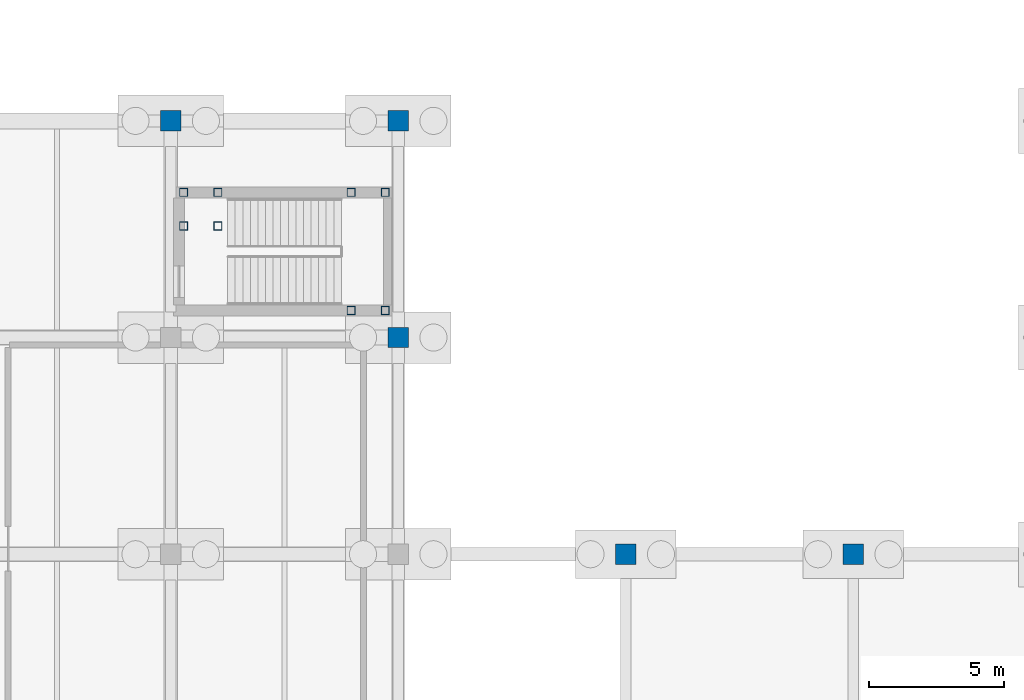
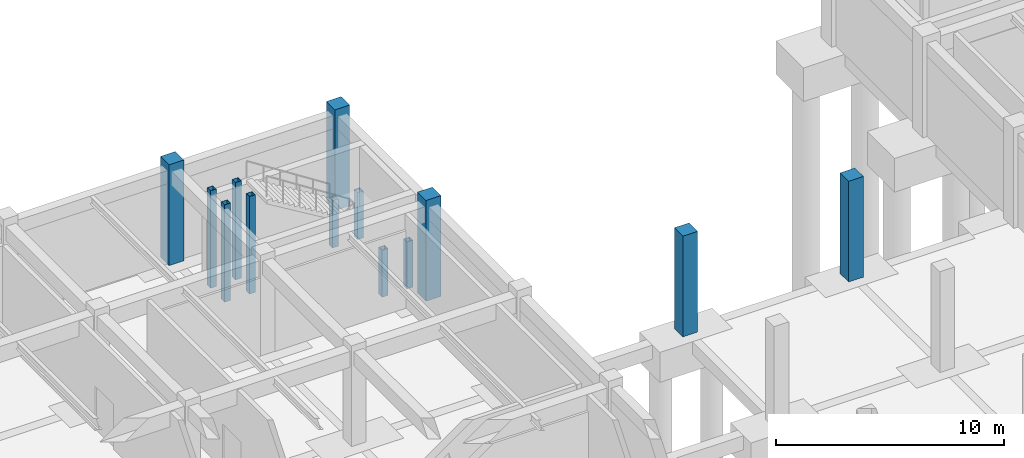
# One storey, part 20 of 56: 13 columns.
"""IFC4 building model written with IfcOpenShell, lengths in metres."""

from ifc_helpers import new_model, si_unit, direction, frame, origin, origin_2d, place, context, subcontext, project, spatial, rectangle, hollow_rectangle, extrude, material, material_profile, profile_set, type_object, element, save


model = new_model("IFC4")

# Units and contexts
model_context = context("Model", 3, precision=1e-05, world=origin(), true_north=direction((0.0, 1.0)))
body_context = subcontext(model_context, "Body", "Model", "MODEL_VIEW")
ifc_project = project(units=[si_unit("LENGTHUNIT", "METRE"), si_unit("AREAUNIT", "SQUARE_METRE"), si_unit("VOLUMEUNIT", "CUBIC_METRE"), si_unit("PLANEANGLEUNIT", "RADIAN"), si_unit("MASSUNIT", "GRAM", prefix="KILO")], contexts=[model_context])

# Site, building, storey
site_placement = place(None, origin())
site = spatial("IfcSite", under=ifc_project, at=site_placement, CompositionType="ELEMENT")
building_placement = place(site_placement, origin())
building = spatial("IfcBuilding", under=site, at=building_placement, Name="Naruveol Harbour Congress Hotel", CompositionType="ELEMENT")
storey_placement = place(building_placement, frame((0.0, 0.0, -5.39990234375)))
storey = spatial("IfcBuildingStorey", under=building, at=storey_placement, Name="B01", CompositionType="ELEMENT", Elevation=-5.39990234375)

# Columns
ifc_material_1 = material(Name="Concrete C50/60", Category="concrete")
ifc_material_profile_1 = material_profile(ifc_material_1, rectangle(XDim=0.75, YDim=0.75, at=origin_2d()), Name="RC-750x750")
ifc_profile_set_1 = profile_set([ifc_material_profile_1], Name="Concrete C50/60")
column_type_1 = type_object("IfcColumnType", Name="RC WING COLUMN 750X750", PredefinedType="COLUMN", material=ifc_profile_set_1)
for number, where, z_axis, x_axis, name in (
    (1, (33.60009765625, 112.0, 0.0), (0.0, 0.0, 1.0), (1.0, 0.0, 0.0), "Column C-750 B01 (33.6,112.0)"),
    (2, (42.0, 104.0, 0.0), (0.0, 0.0, 1.0), (1.0, 0.0, 0.0), "Column C-750 B01 (42.0,104.0)"),
    (3, (42.0, 112.0, 0.0), (0.0, 0.0, 1.0), (1.0, 0.0, 0.0), "Column C-750 B01 (42.0,112.0)"),
    (4, (50.39990234375, 96.0, 0.0), (0.0, 0.0, 1.0), (1.0, 0.0, 0.0), "Column C-750 B01 (50.4,96.0)"),
    (5, (58.800048828125, 96.0, 0.0), (0.0, 0.0, 1.0), (1.0, 0.0, 0.0), "Column C-750 B01 (58.8,96.0)"),
):
    element("IfcColumn", number, at=place(storey_placement, frame(where, z_axis=z_axis, x_axis=x_axis)), inside=storey, type_object=column_type_1, Name=name, PredefinedType="COLUMN", context=body_context, shape_type="SweptSolid", body=[
        extrude(rectangle(XDim=0.75, YDim=0.75, at=origin_2d()), origin(), (0.0, 0.0, 1.0), 5.39990234375),
    ])
ifc_material_2 = material(Name="Steel SN490", Category="steel")
ifc_material_profile_2 = material_profile(ifc_material_2, hollow_rectangle(XDim=0.300048828125, YDim=0.300048828125, WallThickness=0.011962890625, at=origin_2d()), Name="SHS-300x300x12")
ifc_profile_set_2 = profile_set([ifc_material_profile_2], Name="Steel SN490")
column_type_2 = type_object("IfcColumnType", Name="STEEL COLONNADE POST SHS300", PredefinedType="COLUMN", material=ifc_profile_set_2)
for number, where, z_axis, x_axis, name in (
    (6, (34.080078125, 108.1201171875, 0.0), (0.0, 0.0, 1.0), (1.0, 0.0, 0.0), "Stair landing support post ST7W #385"),
    (7, (34.080078125, 109.360107421875, 0.0), (0.0, 0.0, 1.0), (1.0, 0.0, 0.0), "Stair landing support post ST7W #387"),
    (8, (35.340087890625, 108.1201171875, 0.0), (0.0, 0.0, 1.0), (1.0, 0.0, 0.0), "Stair landing support post ST7W #389"),
    (9, (35.340087890625, 109.360107421875, 0.0), (0.0, 0.0, 1.0), (1.0, 0.0, 0.0), "Stair landing support post ST7W #391"),
):
    element("IfcColumn", number, at=place(storey_placement, frame(where, z_axis=z_axis, x_axis=x_axis)), inside=storey, type_object=column_type_2, Name=name, PredefinedType="COLUMN", context=body_context, shape_type="SweptSolid", body=[
        extrude(hollow_rectangle(XDim=0.300048828125, YDim=0.300048828125, WallThickness=0.011962890625, at=origin_2d()), origin(), (0.0, 0.0, 1.0), 5.219970703125),
    ])
for number, where, z_axis, x_axis, name in (
    (10, (40.260009765625, 105.0, 0.0), (0.0, 0.0, 1.0), (1.0, 0.0, 0.0), "Stair landing support post ST7E #393"),
    (11, (40.260009765625, 109.360107421875, 0.0), (0.0, 0.0, 1.0), (1.0, 0.0, 0.0), "Stair landing support post ST7E #395"),
    (12, (41.52001953125, 105.0, 0.0), (0.0, 0.0, 1.0), (1.0, 0.0, 0.0), "Stair landing support post ST7E #397"),
    (13, (41.52001953125, 109.360107421875, 0.0), (0.0, 0.0, 1.0), (1.0, 0.0, 0.0), "Stair landing support post ST7E #399"),
):
    element("IfcColumn", number, at=place(storey_placement, frame(where, z_axis=z_axis, x_axis=x_axis)), inside=storey, type_object=column_type_2, Name=name, PredefinedType="COLUMN", context=body_context, shape_type="SweptSolid", body=[
        extrude(hollow_rectangle(XDim=0.300048828125, YDim=0.300048828125, WallThickness=0.011962890625, at=origin_2d()), origin(), (0.0, 0.0, 1.0), 2.52001953125),
    ])

save(model, "model.ifc")
